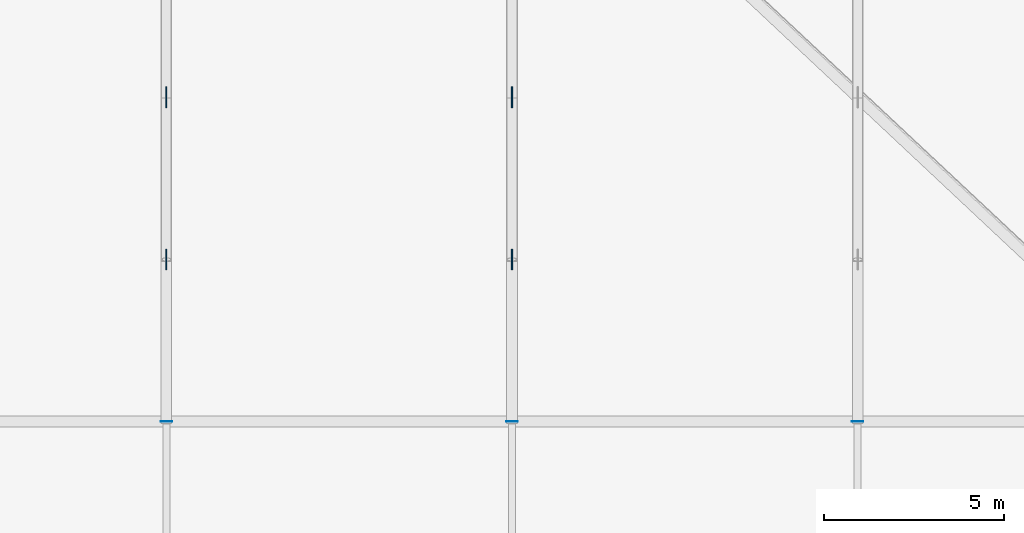
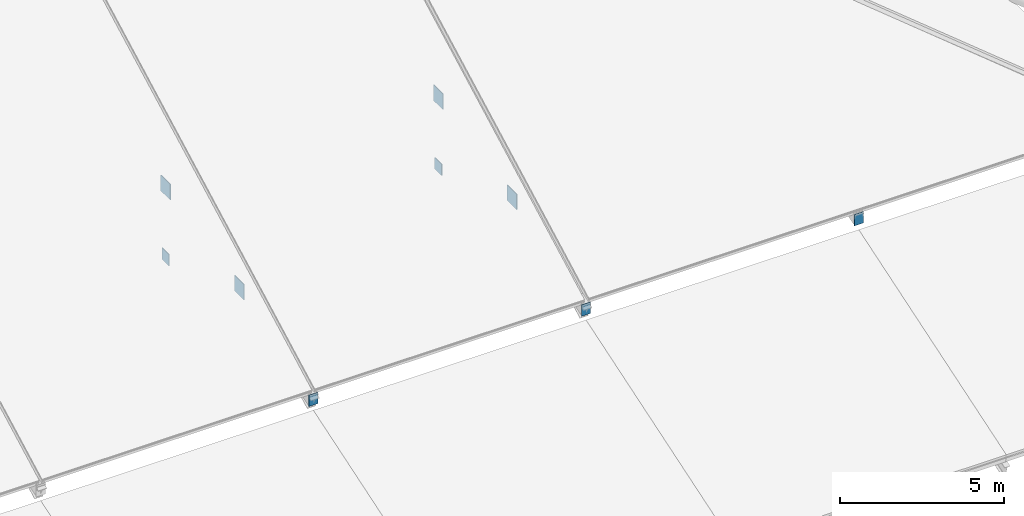
# One storey, part 8 of 16: 9 plates.
"""IFC4 building model written with IfcOpenShell, lengths in metres."""

import ifcopenshell
import ifcopenshell.guid

model = None  # the IFC model being written
_history = None  # IfcOwnerHistory: only IFC2X3 demands one
_inside = {}  # id of a spatial element -> (the spatial element, [elements in it])
_under = {}  # id of a project, library or spatial element -> (it, [spatial elements below it])
_declared = {}  # id of a project -> (the project, [libraries it declares])
_typed = {}  # id of a type object -> (the type object, [elements of that type])
_made_of = {}  # id of a material, layer set ... -> (it, [elements and type objects made of it])


def new_model(schema):
    """Start an empty IFC model of exactly this schema.

    Asked for "IFC4X3", IfcOpenShell would pick the latest addendum, in which some entities
    have other attributes; the version numbers below select the first issue.
    IFC2X3 requires an IfcOwnerHistory on every rooted entity: one is made here for all.
    """
    global model, _history
    if schema == "IFC4X3":
        model = ifcopenshell.file(schema_version=(4, 3, 0, 0))
    else:
        model = ifcopenshell.file(schema=schema)
    _inside.clear()
    _under.clear()
    _declared.clear()
    _typed.clear()
    _made_of.clear()
    _history = None
    if model.schema == "IFC2X3":
        org = make("IfcOrganization", Name="unknown")
        user = make(
            "IfcPersonAndOrganization",
            ThePerson=make("IfcPerson", FamilyName="unknown"),
            TheOrganization=org,
        )
        app = make(
            "IfcApplication",
            ApplicationDeveloper=org,
            Version="unknown",
            ApplicationFullName="unknown",
            ApplicationIdentifier="unknown",
        )
        _history = make(
            "IfcOwnerHistory",
            OwningUser=user,
            OwningApplication=app,
            ChangeAction="ADDED",
            CreationDate=0,
        )
    return model


def make(cls, **values):
    """One entity of the class cls with the attributes given. An attribute that is None is left unset."""
    return model.create_entity(
        cls, **{name: value for name, value in values.items() if value is not None}
    )


def rooted(cls, **values):
    """An entity with a GlobalId (a new one), such as an element, a storey or a relation."""
    return make(cls, GlobalId=ifcopenshell.guid.new(), OwnerHistory=_history, **values)


def si_unit(unit_type, name, prefix=None):
    """IfcSIUnit, for example si_unit("LENGTHUNIT", "METRE", prefix="MILLI")."""
    return make("IfcSIUnit", UnitType=unit_type, Prefix=prefix, Name=name)


def assignment(units):
    """IfcUnitAssignment: the units of a project."""
    return None if units is None else make("IfcUnitAssignment", Units=units)


def point(xyz):
    """IfcCartesianPoint."""
    return None if xyz is None else make("IfcCartesianPoint", Coordinates=xyz)


def direction(xyz):
    """IfcDirection."""
    return None if xyz is None else make("IfcDirection", DirectionRatios=xyz)


def frame(location, z_axis=None, x_axis=None):
    """IfcAxis2Placement3D, a coordinate frame: its origin and axes. An axis left out is left unset."""
    return make(
        "IfcAxis2Placement3D",
        Location=point(location),
        Axis=direction(z_axis),
        RefDirection=direction(x_axis),
    )


def frame_2d(location, x_axis=None):
    """IfcAxis2Placement2D, a coordinate frame in the plane: its origin and x axis."""
    return make(
        "IfcAxis2Placement2D", Location=point(location), RefDirection=direction(x_axis)
    )


def origin():
    """The frame at (0, 0, 0) with its axes left unset."""
    return frame((0.0, 0.0, 0.0))


def origin_2d():
    """The frame at (0, 0) in the plane with its x axis left unset."""
    return frame_2d((0.0, 0.0))


def place(relative_to, where):
    """IfcLocalPlacement: puts the frame where relative to a parent placement (None: the world)."""
    return make(
        "IfcLocalPlacement", PlacementRelTo=relative_to, RelativePlacement=where
    )


def context(
    kind, dimensions, precision=None, world=None, true_north=None, identifier=None
):
    """IfcGeometricRepresentationContext, for example the 3D "Model" context."""
    return make(
        "IfcGeometricRepresentationContext",
        ContextIdentifier=identifier,
        ContextType=kind,
        CoordinateSpaceDimension=dimensions,
        Precision=precision,
        WorldCoordinateSystem=world,
        TrueNorth=true_north,
    )


def subcontext(parent, identifier, kind, view, scale=None):
    """IfcGeometricRepresentationSubContext, for example "Body" below "Model"."""
    return make(
        "IfcGeometricRepresentationSubContext",
        ContextIdentifier=identifier,
        ContextType=kind,
        ParentContext=parent,
        TargetScale=scale,
        TargetView=view,
    )


def project(units=None, contexts=None):
    """IfcProject with its units and contexts."""
    return rooted(
        "IfcProject",
        Name="project",
        RepresentationContexts=contexts,
        UnitsInContext=assignment(units),
    )


def spatial(cls, under=None, at=None, **own):
    """A site, building, storey or space (cls), placed at a placement, below another one or the project."""
    s = rooted(cls, ObjectPlacement=at, **own)
    if under is not None:
        _under.setdefault(under.id(), (under, []))[1].append(s)
    return s


def profile(cls, at=None, kind="AREA", **sizes):
    """A parametric profile (cls). Its sizes go by their IFC names, for example OverallWidth=200.0."""
    return make(cls, ProfileType=kind, Position=at, **sizes)


def rectangle(**sizes):
    """IfcRectangleProfileDef."""
    return profile("IfcRectangleProfileDef", **sizes)


def extrude(swept, where, along, depth):
    """IfcExtrudedAreaSolid: the profile swept, set in the frame where, extruded along a direction by depth."""
    return make(
        "IfcExtrudedAreaSolid",
        SweptArea=swept,
        Position=where,
        ExtrudedDirection=direction(along),
        Depth=depth,
    )


def shape(context_of_items, identifier, shape_type, items):
    """IfcShapeRepresentation: the items that make up one representation, for example the "Body"."""
    return make(
        "IfcShapeRepresentation",
        ContextOfItems=context_of_items,
        RepresentationIdentifier=identifier,
        RepresentationType=shape_type,
        Items=items,
    )


def material(Name=None, Category=None):
    """IfcMaterial."""
    return make("IfcMaterial", Name=Name, Category=Category)


def layer(
    of_material, thickness, ventilated=None, Name=None, Category=None, Priority=None
):
    """IfcMaterialLayer: one layer of a wall or slab, of a material (None: an air gap)."""
    return make(
        "IfcMaterialLayer",
        Material=of_material,
        LayerThickness=thickness,
        IsVentilated=ventilated,
        Name=Name,
        Category=Category,
        Priority=Priority,
    )


def layer_set(layers, Name=None):
    """IfcMaterialLayerSet."""
    return make("IfcMaterialLayerSet", MaterialLayers=layers, LayerSetName=Name)


def made_of(thing, what):
    """Note that an element or type object is made of a material, layer set ...; save() writes the relation."""
    if what is not None:
        _made_of.setdefault(what.id(), (what, []))[1].append(thing)
    return thing


def type_object(cls, material=None, **own):
    """A type object (cls), such as IfcWallType, which elements share."""
    return made_of(rooted(cls, **own), material)


def element(
    cls,
    number,
    at=None,
    inside=None,
    cuts=None,
    type_object=None,
    material=None,
    context=None,
    identifier="Body",
    shape_type=None,
    held_by="IfcProductDefinitionShape",
    body=None,
    shapes=None,
    **own,
):
    """One element of the class cls, such as IfcWall. Its Tag is "e" and its number.

    at: its placement. inside: the storey or other place that contains it. cuts: it is an
    opening in that element (IfcRelVoidsElement). A single representation is given by context,
    identifier, shape_type and body (its items); several are given by shapes. held_by: the class
    of the entity that holds the representations. save() writes the other relations.
    """
    e = rooted(cls, Tag="e%d" % number, ObjectPlacement=at, **own)
    if body is not None:
        shapes = [shape(context, identifier, shape_type, body)]
    if shapes is not None:
        e.Representation = make(held_by, Representations=shapes)
    if inside is not None:
        _inside.setdefault(inside.id(), (inside, []))[1].append(e)
    if cuts is not None:
        rooted(
            "IfcRelVoidsElement", RelatingBuildingElement=cuts, RelatedOpeningElement=e
        )
    if type_object is not None:
        _typed.setdefault(type_object.id(), (type_object, []))[1].append(e)
    return made_of(e, material)


def aggregate(whole, parts):
    """IfcRelAggregates: a whole, such as a stair, and the parts it consists of."""
    return rooted("IfcRelAggregates", RelatingObject=whole, RelatedObjects=parts)


def save(model, path):
    """Write the relations noted so far, then the file.

    IfcRelAggregates (storeys below a building ...), IfcRelContainedInSpatialStructure (elements
    in a storey), IfcRelDefinesByType, IfcRelAssociatesMaterial and IfcRelDeclares: one each for
    every whole, place, type object, material and project.
    """
    for whole, parts in _under.values():
        aggregate(whole, parts)
    for where, things in _inside.values():
        rooted(
            "IfcRelContainedInSpatialStructure",
            RelatedElements=things,
            RelatingStructure=where,
        )
    for kind, things in _typed.values():
        rooted("IfcRelDefinesByType", RelatedObjects=things, RelatingType=kind)
    for what, things in _made_of.values():
        rooted("IfcRelAssociatesMaterial", RelatedObjects=things, RelatingMaterial=what)
    for by, libraries in _declared.values():
        rooted("IfcRelDeclares", RelatingContext=by, RelatedDefinitions=libraries)
    model.write(path)


model = new_model("IFC4")

# Units and contexts
model_context = context("Model", 3, precision=1e-05, world=origin(), true_north=direction((0.0, 1.0)))
body_context = subcontext(model_context, "Body", "Model", "MODEL_VIEW")
ifc_project = project(units=[si_unit("LENGTHUNIT", "METRE"), si_unit("AREAUNIT", "SQUARE_METRE"), si_unit("VOLUMEUNIT", "CUBIC_METRE"), si_unit("PLANEANGLEUNIT", "RADIAN"), si_unit("MASSUNIT", "GRAM", prefix="KILO")], contexts=[model_context])

# Site, building, storey
site_placement = place(None, origin())
site = spatial("IfcSite", under=ifc_project, at=site_placement, CompositionType="ELEMENT")
building_placement = place(site_placement, origin())
building = spatial("IfcBuilding", under=site, at=building_placement, Name="Zarnetskaya Central Station", CompositionType="ELEMENT")
storey_placement = place(building_placement, frame((0.0, 0.0, 27.0)))
storey = spatial("IfcBuildingStorey", under=building, at=storey_placement, Name="RF", CompositionType="ELEMENT", Elevation=27.0)

# Plates
ifc_material = material(Name="Steel S355", Category="steel")
ifc_layer_1 = layer(ifc_material, 0.02001953125, Name="Steel S355", Category="steel")
ifc_layer_set_1 = layer_set([ifc_layer_1], Name="Steel S355")
plate_type_1 = type_object("IfcPlateType", Name="ND-ENDCAP-20", PredefinedType="SHEET", material=ifc_layer_set_1)
for number, where, z_axis, x_axis, name in (
    (1, (96.0, 22.199951171875, -13.10986328125), (0.0, 0.0, 1.0), (1.0, 0.0, 0.0), "ROOF TRUSS RT-05 end cap plate 1"),
    (2, (105.60009765625, 22.199951171875, -13.10986328125), (0.0, 0.0, 1.0), (1.0, 0.0, 0.0), "ROOF TRUSS RT-06 end cap plate 1"),
    (3, (115.199951171875, 22.199951171875, -13.10986328125), (0.0, 0.0, 1.0), (1.0, 0.0, 0.0), "ROOF TRUSS RT-07 end cap plate 1"),
):
    element("IfcPlate", number, at=place(storey_placement, frame(where, z_axis=z_axis, x_axis=x_axis)), inside=storey, type_object=plate_type_1, Name=name, PredefinedType="SHEET", context=body_context, shape_type="SweptSolid", body=[
        extrude(rectangle(XDim=0.320068359375, YDim=0.02001953125, at=origin_2d()), origin(), (0.0, 0.0, 1.0), 0.419921875),
    ])
ifc_layer_2 = layer(ifc_material, 0.028076171875, Name="Steel S355", Category="steel")
ifc_layer_set_2 = layer_set([ifc_layer_2], Name="Steel S355")
plate_type_2 = type_object("IfcPlateType", Name="ND-GUSSET-28", PredefinedType="USERDEFINED", material=ifc_layer_set_2)
for number, where, z_axis, x_axis, name in (
    (4, (96.0, 26.699951171875, -11.75830078125), (0.0, 0.0, 1.0), (1.0, 0.0, 0.0), "ROOF TRUSS RT-05 gusset node plate 1"),
    (5, (96.0, 31.199951171875, -10.760009765625), (0.0, 0.0, 1.0), (1.0, 0.0, 0.0), "ROOF TRUSS RT-05 gusset node plate 2"),
    (6, (105.60009765625, 26.699951171875, -11.75830078125), (0.0, 0.0, 1.0), (1.0, 0.0, 0.0), "ROOF TRUSS RT-06 gusset node plate 1"),
    (7, (105.60009765625, 31.199951171875, -10.760009765625), (0.0, 0.0, 1.0), (1.0, 0.0, 0.0), "ROOF TRUSS RT-06 gusset node plate 2"),
):
    element("IfcPlate", number, at=place(storey_placement, frame(where, z_axis=z_axis, x_axis=x_axis)), inside=storey, type_object=plate_type_2, Name=name, ObjectType="GUSSET PLATE", PredefinedType="USERDEFINED", context=body_context, shape_type="SweptSolid", body=[
        extrude(rectangle(XDim=0.028076171875, YDim=0.580078125, at=origin_2d()), origin(), (0.0, 0.0, 1.0), 0.580078125),
    ])
for number, where, z_axis, x_axis, name in (
    (8, (96.0, 31.199951171875, -13.260009765625), (0.0, 0.0, 1.0), (1.0, 0.0, 0.0), "Structural member end gusset plate 013"),
    (9, (105.60009765625, 31.199951171875, -13.260009765625), (0.0, 0.0, 1.0), (1.0, 0.0, 0.0), "Structural member end gusset plate 016"),
):
    element("IfcPlate", number, at=place(storey_placement, frame(where, z_axis=z_axis, x_axis=x_axis)), inside=storey, type_object=plate_type_2, Name=name, ObjectType="GUSSET PLATE", PredefinedType="USERDEFINED", context=body_context, shape_type="SweptSolid", body=[
        extrude(rectangle(XDim=0.028076171875, YDim=0.419921875, at=origin_2d()), origin(), (0.0, 0.0, 1.0), 0.419921875),
    ])

save(model, "model.ifc")
